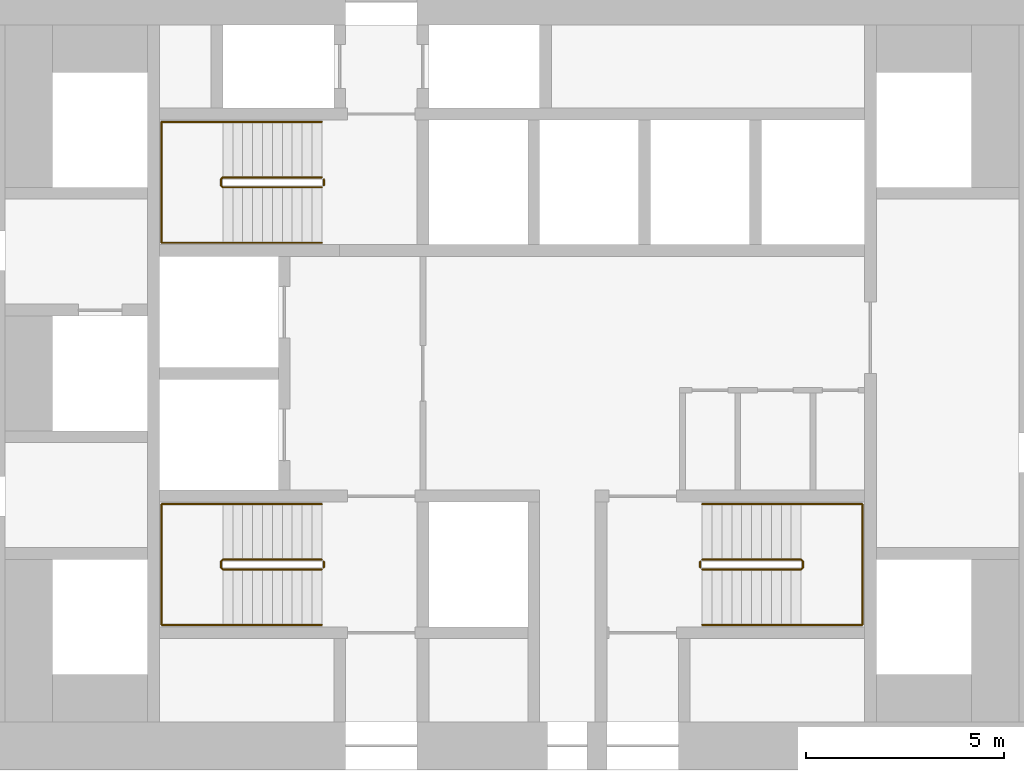
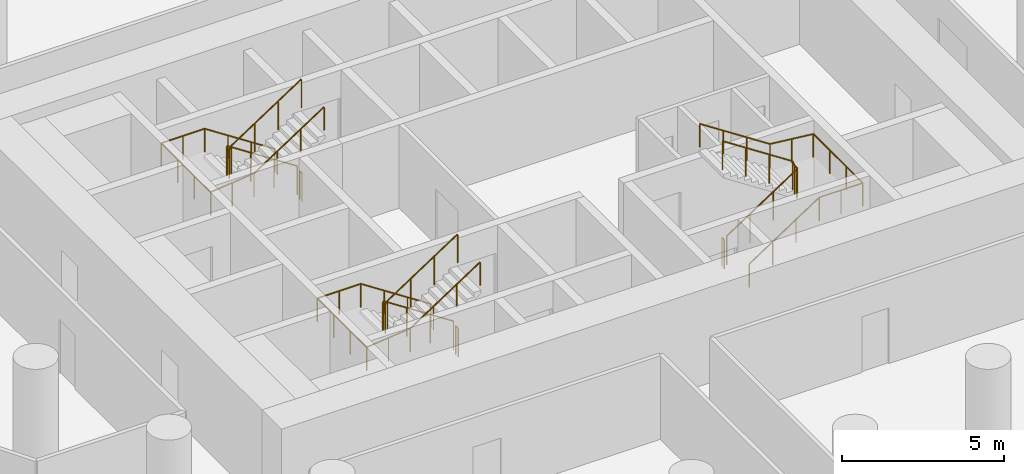
# One storey, part 11 of 11: 9 railings.
"""IFC4 building model written with IfcOpenShell, lengths in metres."""

from ifc_helpers import new_model, si_unit, direction, frame, origin, origin_2d, place, context, subcontext, project, spatial, circle, extrude, material, type_object, element, save


model = new_model("IFC4")

# Units and contexts
model_context = context("Model", 3, precision=1e-05, world=origin(), true_north=direction((0.0, 1.0)))
body_context = subcontext(model_context, "Body", "Model", "MODEL_VIEW")
ifc_project = project(units=[si_unit("LENGTHUNIT", "METRE"), si_unit("AREAUNIT", "SQUARE_METRE"), si_unit("VOLUMEUNIT", "CUBIC_METRE"), si_unit("PLANEANGLEUNIT", "RADIAN"), si_unit("MASSUNIT", "GRAM", prefix="KILO")], contexts=[model_context])

# Site, building, storey
site_placement = place(None, origin())
site = spatial("IfcSite", under=ifc_project, at=site_placement, CompositionType="ELEMENT")
building_placement = place(site_placement, origin())
building = spatial("IfcBuilding", under=site, at=building_placement, Name="Tracery Tower", CompositionType="ELEMENT")
storey_placement = place(building_placement, frame((0.0, 0.0, 93.0)))
storey = spatial("IfcBuildingStorey", under=building, at=storey_placement, Name="L23", CompositionType="ELEMENT", Elevation=93.0)

# Railings
ifc_material_1 = material(Name="Stainless steel and laminated glass", Category="steel")
railing_type_1 = type_object("IfcRailingType", Name="Stair guard 1100", PredefinedType="GUARDRAIL", material=ifc_material_1)
railing_1_placement = place(storey_placement, frame((-4.800048828125, -4.699951171875, 0.16357421875)))
element("IfcRailing", 1, at=railing_1_placement, inside=storey, type_object=railing_type_1, Name="L23 stair ST1 guard 1", PredefinedType="GUARDRAIL", context=body_context, shape_type="SweptSolid", body=[
    extrude(circle(Radius=0.02392578125, at=origin_2d()), frame((0.0, 0.0, 1.076171875), z_axis=(-0.83668449804, 0.0, 0.54768517484), x_axis=(0.0, -1.0, 0.0)), (0.0, 0.0, 1.0), 2.988037109375),
    extrude(circle(Radius=0.02392578125, at=origin_2d()), frame((-2.5, 0.0, 2.71240234375), z_axis=(-0.707106781187, -0.707106781187, 0.0), x_axis=(0.707106781187, -0.707106781187, 0.0)), (0.0, 0.0, 1.0), 0.07080078125),
    extrude(circle(Radius=0.02392578125, at=origin_2d()), frame((-2.550048828125, -0.050048828125, 2.71240234375), z_axis=(0.0, -1.0, 0.0), x_axis=(1.0, 0.0, 0.0)), (0.0, 0.0, 1.0), 0.14990234375),
    extrude(circle(Radius=0.02392578125, at=origin_2d()), frame((-2.550048828125, -0.199951171875, 2.71240234375), z_axis=(0.280808744504, -0.280808744504, 0.917765164963), x_axis=(0.707106781187, 0.707106781187, 0.0)), (0.0, 0.0, 1.0), 0.17822265625),
    extrude(circle(Radius=0.02392578125, at=origin_2d()), frame((-2.5, -0.25, 2.8759765625), z_axis=(0.83668449804, 0.0, 0.54768517484), x_axis=(0.0, 1.0, 0.0)), (0.0, 0.0, 1.0), 2.988037109375),
    extrude(circle(Radius=0.02099609375, at=origin_2d()), origin(), (0.0, 0.0, 1.0), 1.052001953125),
    extrude(circle(Radius=0.02099609375, at=origin_2d()), frame((-0.833251953125, 0.0, 0.54541015625)), (0.0, 0.0, 1.0), 1.052001953125),
    extrude(circle(Radius=0.02099609375, at=origin_2d()), frame((-1.666748046875, 0.0, 1.091064453125)), (0.0, 0.0, 1.0), 1.052001953125),
    extrude(circle(Radius=0.02099609375, at=origin_2d()), frame((-2.5, 0.0, 1.636474609375)), (0.0, 0.0, 1.0), 1.052001953125),
    extrude(circle(Radius=0.02099609375, at=origin_2d()), frame((-2.550048828125, -0.050048828125, 1.636474609375)), (0.0, 0.0, 1.0), 1.052001953125),
    extrude(circle(Radius=0.02099609375, at=origin_2d()), frame((-2.550048828125, -0.199951171875, 1.636474609375)), (0.0, 0.0, 1.0), 1.052001953125),
    extrude(circle(Radius=0.02099609375, at=origin_2d()), frame((-2.5, -0.25, 1.800048828125)), (0.0, 0.0, 1.0), 1.052001953125),
    extrude(circle(Radius=0.02099609375, at=origin_2d()), frame((-1.666748046875, -0.25, 2.345458984375)), (0.0, 0.0, 1.0), 1.052001953125),
    extrude(circle(Radius=0.02099609375, at=origin_2d()), frame((-0.833251953125, -0.25, 2.89111328125)), (0.0, 0.0, 1.0), 1.052001953125),
    extrude(circle(Radius=0.02099609375, at=origin_2d()), frame((0.0, -0.25, 3.4365234375)), (0.0, 0.0, 1.0), 1.052001953125),
])
railing_2_placement = place(storey_placement, frame((-4.75, -4.75, 0.0)))
element("IfcRailing", 2, at=railing_2_placement, inside=storey, type_object=railing_type_1, Name="L23 stair ST1 guard 2", PredefinedType="GUARDRAIL", context=body_context, shape_type="SweptSolid", body=[
    extrude(circle(Radius=0.02392578125, at=origin_2d()), frame((0.0, 0.0, 1.076171875), z_axis=(0.0, -1.0, 0.0), x_axis=(1.0, 0.0, 0.0)), (0.0, 0.0, 1.0), 0.14990234375),
    extrude(circle(Radius=0.02099609375, at=origin_2d()), origin(), (0.0, 0.0, 1.0), 1.052001953125),
    extrude(circle(Radius=0.02099609375, at=origin_2d()), frame((0.0, -0.14990234375, 0.0)), (0.0, 0.0, 1.0), 1.052001953125),
])
railing_3_placement = place(storey_placement, frame((-4.800048828125, 4.949951171875, 0.16357421875)))
element("IfcRailing", 3, at=railing_3_placement, inside=storey, type_object=railing_type_1, Name="L23 stair ST3 guard 1", PredefinedType="GUARDRAIL", context=body_context, shape_type="SweptSolid", body=[
    extrude(circle(Radius=0.02392578125, at=origin_2d()), frame((0.0, 0.0, 1.076171875), z_axis=(-0.83668449804, 0.0, 0.54768517484), x_axis=(0.0, -1.0, 0.0)), (0.0, 0.0, 1.0), 2.988037109375),
    extrude(circle(Radius=0.02392578125, at=origin_2d()), frame((-2.5, 0.0, 2.71240234375), z_axis=(-0.707106781187, -0.707106781187, 0.0), x_axis=(0.707106781187, -0.707106781187, 0.0)), (0.0, 0.0, 1.0), 0.07080078125),
    extrude(circle(Radius=0.02392578125, at=origin_2d()), frame((-2.550048828125, -0.050048828125, 2.71240234375), z_axis=(0.0, -1.0, 0.0), x_axis=(1.0, 0.0, 0.0)), (0.0, 0.0, 1.0), 0.14990234375),
    extrude(circle(Radius=0.02392578125, at=origin_2d()), frame((-2.550048828125, -0.199951171875, 2.71240234375), z_axis=(0.280808744504, -0.280808744504, 0.917765164963), x_axis=(0.707106781187, 0.707106781187, 0.0)), (0.0, 0.0, 1.0), 0.17822265625),
    extrude(circle(Radius=0.02392578125, at=origin_2d()), frame((-2.5, -0.25, 2.8759765625), z_axis=(0.83668449804, 0.0, 0.54768517484), x_axis=(0.0, 1.0, 0.0)), (0.0, 0.0, 1.0), 2.988037109375),
    extrude(circle(Radius=0.02099609375, at=origin_2d()), origin(), (0.0, 0.0, 1.0), 1.052001953125),
    extrude(circle(Radius=0.02099609375, at=origin_2d()), frame((-0.833251953125, 0.0, 0.54541015625)), (0.0, 0.0, 1.0), 1.052001953125),
    extrude(circle(Radius=0.02099609375, at=origin_2d()), frame((-1.666748046875, 0.0, 1.091064453125)), (0.0, 0.0, 1.0), 1.052001953125),
    extrude(circle(Radius=0.02099609375, at=origin_2d()), frame((-2.5, 0.0, 1.636474609375)), (0.0, 0.0, 1.0), 1.052001953125),
    extrude(circle(Radius=0.02099609375, at=origin_2d()), frame((-2.550048828125, -0.050048828125, 1.636474609375)), (0.0, 0.0, 1.0), 1.052001953125),
    extrude(circle(Radius=0.02099609375, at=origin_2d()), frame((-2.550048828125, -0.199951171875, 1.636474609375)), (0.0, 0.0, 1.0), 1.052001953125),
    extrude(circle(Radius=0.02099609375, at=origin_2d()), frame((-2.5, -0.25, 1.800048828125)), (0.0, 0.0, 1.0), 1.052001953125),
    extrude(circle(Radius=0.02099609375, at=origin_2d()), frame((-1.666748046875, -0.25, 2.345458984375)), (0.0, 0.0, 1.0), 1.052001953125),
    extrude(circle(Radius=0.02099609375, at=origin_2d()), frame((-0.833251953125, -0.25, 2.89111328125)), (0.0, 0.0, 1.0), 1.052001953125),
    extrude(circle(Radius=0.02099609375, at=origin_2d()), frame((0.0, -0.25, 3.4365234375)), (0.0, 0.0, 1.0), 1.052001953125),
])
railing_4_placement = place(storey_placement, frame((-4.75, 4.89990234375, 0.0)))
element("IfcRailing", 4, at=railing_4_placement, inside=storey, type_object=railing_type_1, Name="L23 stair ST3 guard 2", PredefinedType="GUARDRAIL", context=body_context, shape_type="SweptSolid", body=[
    extrude(circle(Radius=0.02392578125, at=origin_2d()), frame((0.0, 0.0, 1.076171875), z_axis=(0.0, -1.0, 0.0), x_axis=(1.0, 0.0, 0.0)), (0.0, 0.0, 1.0), 0.14990234375),
    extrude(circle(Radius=0.02099609375, at=origin_2d()), origin(), (0.0, 0.0, 1.0), 1.052001953125),
    extrude(circle(Radius=0.02099609375, at=origin_2d()), frame((0.0, -0.14990234375, 0.0)), (0.0, 0.0, 1.0), 1.052001953125),
])
railing_5_placement = place(storey_placement, frame((4.800048828125, -4.949951171875, 0.16357421875)))
element("IfcRailing", 5, at=railing_5_placement, inside=storey, type_object=railing_type_1, Name="L23 stair ST2 guard 1", PredefinedType="GUARDRAIL", context=body_context, shape_type="SweptSolid", body=[
    extrude(circle(Radius=0.02392578125, at=origin_2d()), frame((0.0, 0.0, 1.076171875), z_axis=(0.83668449804, 0.0, 0.54768517484), x_axis=(0.0, 1.0, 0.0)), (0.0, 0.0, 1.0), 2.988037109375),
    extrude(circle(Radius=0.02392578125, at=origin_2d()), frame((2.5, 0.0, 2.71240234375), z_axis=(0.707106781187, 0.707106781187, 0.0), x_axis=(-0.707106781187, 0.707106781187, 0.0)), (0.0, 0.0, 1.0), 0.07080078125),
    extrude(circle(Radius=0.02392578125, at=origin_2d()), frame((2.550048828125, 0.050048828125, 2.71240234375), z_axis=(0.0, 1.0, 0.0), x_axis=(-1.0, 0.0, 0.0)), (0.0, 0.0, 1.0), 0.14990234375),
    extrude(circle(Radius=0.02392578125, at=origin_2d()), frame((2.550048828125, 0.199951171875, 2.71240234375), z_axis=(-0.280808744504, 0.280808744504, 0.917765164963), x_axis=(-0.707106781187, -0.707106781187, 0.0)), (0.0, 0.0, 1.0), 0.17822265625),
    extrude(circle(Radius=0.02392578125, at=origin_2d()), frame((2.5, 0.25, 2.8759765625), z_axis=(-0.83668449804, 0.0, 0.54768517484), x_axis=(0.0, -1.0, 0.0)), (0.0, 0.0, 1.0), 2.988037109375),
    extrude(circle(Radius=0.02099609375, at=origin_2d()), origin(), (0.0, 0.0, 1.0), 1.052001953125),
    extrude(circle(Radius=0.02099609375, at=origin_2d()), frame((0.833251953125, 0.0, 0.54541015625)), (0.0, 0.0, 1.0), 1.052001953125),
    extrude(circle(Radius=0.02099609375, at=origin_2d()), frame((1.666748046875, 0.0, 1.091064453125)), (0.0, 0.0, 1.0), 1.052001953125),
    extrude(circle(Radius=0.02099609375, at=origin_2d()), frame((2.5, 0.0, 1.636474609375)), (0.0, 0.0, 1.0), 1.052001953125),
    extrude(circle(Radius=0.02099609375, at=origin_2d()), frame((2.550048828125, 0.050048828125, 1.636474609375)), (0.0, 0.0, 1.0), 1.052001953125),
    extrude(circle(Radius=0.02099609375, at=origin_2d()), frame((2.550048828125, 0.199951171875, 1.636474609375)), (0.0, 0.0, 1.0), 1.052001953125),
    extrude(circle(Radius=0.02099609375, at=origin_2d()), frame((2.5, 0.25, 1.800048828125)), (0.0, 0.0, 1.0), 1.052001953125),
    extrude(circle(Radius=0.02099609375, at=origin_2d()), frame((1.666748046875, 0.25, 2.345458984375)), (0.0, 0.0, 1.0), 1.052001953125),
    extrude(circle(Radius=0.02099609375, at=origin_2d()), frame((0.833251953125, 0.25, 2.89111328125)), (0.0, 0.0, 1.0), 1.052001953125),
    extrude(circle(Radius=0.02099609375, at=origin_2d()), frame((0.0, 0.25, 3.4365234375)), (0.0, 0.0, 1.0), 1.052001953125),
])
railing_6_placement = place(storey_placement, frame((4.75, -4.89990234375, 0.0)))
element("IfcRailing", 6, at=railing_6_placement, inside=storey, type_object=railing_type_1, Name="L23 stair ST2 guard 2", PredefinedType="GUARDRAIL", context=body_context, shape_type="SweptSolid", body=[
    extrude(circle(Radius=0.02392578125, at=origin_2d()), frame((0.0, 0.0, 1.076171875), z_axis=(0.0, 1.0, 0.0), x_axis=(-1.0, 0.0, 0.0)), (0.0, 0.0, 1.0), 0.14990234375),
    extrude(circle(Radius=0.02099609375, at=origin_2d()), origin(), (0.0, 0.0, 1.0), 1.052001953125),
    extrude(circle(Radius=0.02099609375, at=origin_2d()), frame((0.0, 0.14990234375, 0.0)), (0.0, 0.0, 1.0), 1.052001953125),
])
ifc_material_2 = material(Name="Stainless steel and laminated glass", Category="steel")
railing_type_2 = type_object("IfcRailingType", Name="Stair handrail 900", PredefinedType="HANDRAIL", material=ifc_material_2)
railing_7_placement = place(storey_placement, frame((-4.800048828125, -3.300048828125, 0.16357421875)))
element("IfcRailing", 7, at=railing_7_placement, inside=storey, type_object=railing_type_2, Name="L23 stair ST1 handrail 1", PredefinedType="HANDRAIL", context=body_context, shape_type="SweptSolid", body=[
    extrude(circle(Radius=0.02392578125, at=origin_2d()), frame((0.0, 0.0, 0.8759765625), z_axis=(-0.83668449804, 0.0, 0.54768517484), x_axis=(0.0, -1.0, 0.0)), (0.0, 0.0, 1.0), 2.988037109375),
    extrude(circle(Radius=0.02392578125, at=origin_2d()), frame((-2.5, 0.0, 2.51220703125), z_axis=(-1.0, 0.0, 0.0), x_axis=(0.0, -1.0, 0.0)), (0.0, 0.0, 1.0), 1.550048828125),
    extrude(circle(Radius=0.02392578125, at=origin_2d()), frame((-4.050048828125, 0.0, 2.51220703125), z_axis=(0.0, -1.0, 0.0), x_axis=(1.0, 0.0, 0.0)), (0.0, 0.0, 1.0), 3.050048828125),
    extrude(circle(Radius=0.02392578125, at=origin_2d()), frame((-4.050048828125, -3.050048828125, 2.51220703125), z_axis=(0.994477953863, 0.0, 0.104945696817), x_axis=(0.0, 1.0, 0.0)), (0.0, 0.0, 1.0), 1.55859375),
    extrude(circle(Radius=0.02392578125, at=origin_2d()), frame((-2.5, -3.050048828125, 2.67578125), z_axis=(0.83668449804, 0.0, 0.54768517484), x_axis=(0.0, 1.0, 0.0)), (0.0, 0.0, 1.0), 2.988037109375),
    extrude(circle(Radius=0.02099609375, at=origin_2d()), origin(), (0.0, 0.0, 1.0), 0.851806640625),
    extrude(circle(Radius=0.02099609375, at=origin_2d()), frame((-0.833251953125, 0.0, 0.54541015625)), (0.0, 0.0, 1.0), 0.851806640625),
    extrude(circle(Radius=0.02099609375, at=origin_2d()), frame((-1.666748046875, 0.0, 1.091064453125)), (0.0, 0.0, 1.0), 0.851806640625),
    extrude(circle(Radius=0.02099609375, at=origin_2d()), frame((-2.5, 0.0, 1.636474609375)), (0.0, 0.0, 1.0), 0.851806640625),
    extrude(circle(Radius=0.02099609375, at=origin_2d()), frame((-3.27490234375, 0.0, 1.636474609375)), (0.0, 0.0, 1.0), 0.851806640625),
    extrude(circle(Radius=0.02099609375, at=origin_2d()), frame((-4.050048828125, 0.0, 1.636474609375)), (0.0, 0.0, 1.0), 0.851806640625),
    extrude(circle(Radius=0.02099609375, at=origin_2d()), frame((-4.050048828125, -1.0166015625, 1.636474609375)), (0.0, 0.0, 1.0), 0.851806640625),
    extrude(circle(Radius=0.02099609375, at=origin_2d()), frame((-4.050048828125, -2.033447265625, 1.636474609375)), (0.0, 0.0, 1.0), 0.851806640625),
    extrude(circle(Radius=0.02099609375, at=origin_2d()), frame((-4.050048828125, -3.050048828125, 1.636474609375)), (0.0, 0.0, 1.0), 0.851806640625),
    extrude(circle(Radius=0.02099609375, at=origin_2d()), frame((-3.27490234375, -3.050048828125, 1.71826171875)), (0.0, 0.0, 1.0), 0.851806640625),
    extrude(circle(Radius=0.02099609375, at=origin_2d()), frame((-2.5, -3.050048828125, 1.800048828125)), (0.0, 0.0, 1.0), 0.851806640625),
    extrude(circle(Radius=0.02099609375, at=origin_2d()), frame((-1.666748046875, -3.050048828125, 2.345458984375)), (0.0, 0.0, 1.0), 0.851806640625),
    extrude(circle(Radius=0.02099609375, at=origin_2d()), frame((-0.833251953125, -3.050048828125, 2.89111328125)), (0.0, 0.0, 1.0), 0.851806640625),
    extrude(circle(Radius=0.02099609375, at=origin_2d()), frame((0.0, -3.050048828125, 3.4365234375)), (0.0, 0.0, 1.0), 0.851806640625),
])
railing_8_placement = place(storey_placement, frame((-4.800048828125, 6.35009765625, 0.16357421875)))
element("IfcRailing", 8, at=railing_8_placement, inside=storey, type_object=railing_type_2, Name="L23 stair ST3 handrail 1", PredefinedType="HANDRAIL", context=body_context, shape_type="SweptSolid", body=[
    extrude(circle(Radius=0.02392578125, at=origin_2d()), frame((0.0, 0.0, 0.8759765625), z_axis=(-0.83668449804, 0.0, 0.54768517484), x_axis=(0.0, -1.0, 0.0)), (0.0, 0.0, 1.0), 2.988037109375),
    extrude(circle(Radius=0.02392578125, at=origin_2d()), frame((-2.5, 0.0, 2.51220703125), z_axis=(-1.0, 0.0, 0.0), x_axis=(0.0, -1.0, 0.0)), (0.0, 0.0, 1.0), 1.550048828125),
    extrude(circle(Radius=0.02392578125, at=origin_2d()), frame((-4.050048828125, 0.0, 2.51220703125), z_axis=(0.0, -1.0, 0.0), x_axis=(1.0, 0.0, 0.0)), (0.0, 0.0, 1.0), 3.050048828125),
    extrude(circle(Radius=0.02392578125, at=origin_2d()), frame((-4.050048828125, -3.050048828125, 2.51220703125), z_axis=(0.994477953863, 0.0, 0.104945696817), x_axis=(0.0, 1.0, 0.0)), (0.0, 0.0, 1.0), 1.55859375),
    extrude(circle(Radius=0.02392578125, at=origin_2d()), frame((-2.5, -3.050048828125, 2.67578125), z_axis=(0.83668449804, 0.0, 0.54768517484), x_axis=(0.0, 1.0, 0.0)), (0.0, 0.0, 1.0), 2.988037109375),
    extrude(circle(Radius=0.02099609375, at=origin_2d()), origin(), (0.0, 0.0, 1.0), 0.851806640625),
    extrude(circle(Radius=0.02099609375, at=origin_2d()), frame((-0.833251953125, 0.0, 0.54541015625)), (0.0, 0.0, 1.0), 0.851806640625),
    extrude(circle(Radius=0.02099609375, at=origin_2d()), frame((-1.666748046875, 0.0, 1.091064453125)), (0.0, 0.0, 1.0), 0.851806640625),
    extrude(circle(Radius=0.02099609375, at=origin_2d()), frame((-2.5, 0.0, 1.636474609375)), (0.0, 0.0, 1.0), 0.851806640625),
    extrude(circle(Radius=0.02099609375, at=origin_2d()), frame((-3.27490234375, 0.0, 1.636474609375)), (0.0, 0.0, 1.0), 0.851806640625),
    extrude(circle(Radius=0.02099609375, at=origin_2d()), frame((-4.050048828125, 0.0, 1.636474609375)), (0.0, 0.0, 1.0), 0.851806640625),
    extrude(circle(Radius=0.02099609375, at=origin_2d()), frame((-4.050048828125, -1.0166015625, 1.636474609375)), (0.0, 0.0, 1.0), 0.851806640625),
    extrude(circle(Radius=0.02099609375, at=origin_2d()), frame((-4.050048828125, -2.033447265625, 1.636474609375)), (0.0, 0.0, 1.0), 0.851806640625),
    extrude(circle(Radius=0.02099609375, at=origin_2d()), frame((-4.050048828125, -3.050048828125, 1.636474609375)), (0.0, 0.0, 1.0), 0.851806640625),
    extrude(circle(Radius=0.02099609375, at=origin_2d()), frame((-3.27490234375, -3.050048828125, 1.71826171875)), (0.0, 0.0, 1.0), 0.851806640625),
    extrude(circle(Radius=0.02099609375, at=origin_2d()), frame((-2.5, -3.050048828125, 1.800048828125)), (0.0, 0.0, 1.0), 0.851806640625),
    extrude(circle(Radius=0.02099609375, at=origin_2d()), frame((-1.666748046875, -3.050048828125, 2.345458984375)), (0.0, 0.0, 1.0), 0.851806640625),
    extrude(circle(Radius=0.02099609375, at=origin_2d()), frame((-0.833251953125, -3.050048828125, 2.89111328125)), (0.0, 0.0, 1.0), 0.851806640625),
    extrude(circle(Radius=0.02099609375, at=origin_2d()), frame((0.0, -3.050048828125, 3.4365234375)), (0.0, 0.0, 1.0), 0.851806640625),
])
railing_9_placement = place(storey_placement, frame((4.800048828125, -6.35009765625, 0.16357421875)))
element("IfcRailing", 9, at=railing_9_placement, inside=storey, type_object=railing_type_2, Name="L23 stair ST2 handrail 1", PredefinedType="HANDRAIL", context=body_context, shape_type="SweptSolid", body=[
    extrude(circle(Radius=0.02392578125, at=origin_2d()), frame((0.0, 0.0, 0.8759765625), z_axis=(0.83668449804, 0.0, 0.54768517484), x_axis=(0.0, 1.0, 0.0)), (0.0, 0.0, 1.0), 2.988037109375),
    extrude(circle(Radius=0.02392578125, at=origin_2d()), frame((2.5, 0.0, 2.51220703125), z_axis=(1.0, 0.0, 0.0), x_axis=(0.0, 1.0, 0.0)), (0.0, 0.0, 1.0), 1.550048828125),
    extrude(circle(Radius=0.02392578125, at=origin_2d()), frame((4.050048828125, 0.0, 2.51220703125), z_axis=(0.0, 1.0, 0.0), x_axis=(-1.0, 0.0, 0.0)), (0.0, 0.0, 1.0), 3.050048828125),
    extrude(circle(Radius=0.02392578125, at=origin_2d()), frame((4.050048828125, 3.050048828125, 2.51220703125), z_axis=(-0.994477953863, 0.0, 0.104945696817), x_axis=(0.0, -1.0, 0.0)), (0.0, 0.0, 1.0), 1.55859375),
    extrude(circle(Radius=0.02392578125, at=origin_2d()), frame((2.5, 3.050048828125, 2.67578125), z_axis=(-0.83668449804, 0.0, 0.54768517484), x_axis=(0.0, -1.0, 0.0)), (0.0, 0.0, 1.0), 2.988037109375),
    extrude(circle(Radius=0.02099609375, at=origin_2d()), origin(), (0.0, 0.0, 1.0), 0.851806640625),
    extrude(circle(Radius=0.02099609375, at=origin_2d()), frame((0.833251953125, 0.0, 0.54541015625)), (0.0, 0.0, 1.0), 0.851806640625),
    extrude(circle(Radius=0.02099609375, at=origin_2d()), frame((1.666748046875, 0.0, 1.091064453125)), (0.0, 0.0, 1.0), 0.851806640625),
    extrude(circle(Radius=0.02099609375, at=origin_2d()), frame((2.5, 0.0, 1.636474609375)), (0.0, 0.0, 1.0), 0.851806640625),
    extrude(circle(Radius=0.02099609375, at=origin_2d()), frame((3.27490234375, 0.0, 1.636474609375)), (0.0, 0.0, 1.0), 0.851806640625),
    extrude(circle(Radius=0.02099609375, at=origin_2d()), frame((4.050048828125, 0.0, 1.636474609375)), (0.0, 0.0, 1.0), 0.851806640625),
    extrude(circle(Radius=0.02099609375, at=origin_2d()), frame((4.050048828125, 1.0166015625, 1.636474609375)), (0.0, 0.0, 1.0), 0.851806640625),
    extrude(circle(Radius=0.02099609375, at=origin_2d()), frame((4.050048828125, 2.033447265625, 1.636474609375)), (0.0, 0.0, 1.0), 0.851806640625),
    extrude(circle(Radius=0.02099609375, at=origin_2d()), frame((4.050048828125, 3.050048828125, 1.636474609375)), (0.0, 0.0, 1.0), 0.851806640625),
    extrude(circle(Radius=0.02099609375, at=origin_2d()), frame((3.27490234375, 3.050048828125, 1.71826171875)), (0.0, 0.0, 1.0), 0.851806640625),
    extrude(circle(Radius=0.02099609375, at=origin_2d()), frame((2.5, 3.050048828125, 1.800048828125)), (0.0, 0.0, 1.0), 0.851806640625),
    extrude(circle(Radius=0.02099609375, at=origin_2d()), frame((1.666748046875, 3.050048828125, 2.345458984375)), (0.0, 0.0, 1.0), 0.851806640625),
    extrude(circle(Radius=0.02099609375, at=origin_2d()), frame((0.833251953125, 3.050048828125, 2.89111328125)), (0.0, 0.0, 1.0), 0.851806640625),
    extrude(circle(Radius=0.02099609375, at=origin_2d()), frame((0.0, 3.050048828125, 3.4365234375)), (0.0, 0.0, 1.0), 0.851806640625),
])

save(model, "model.ifc")
